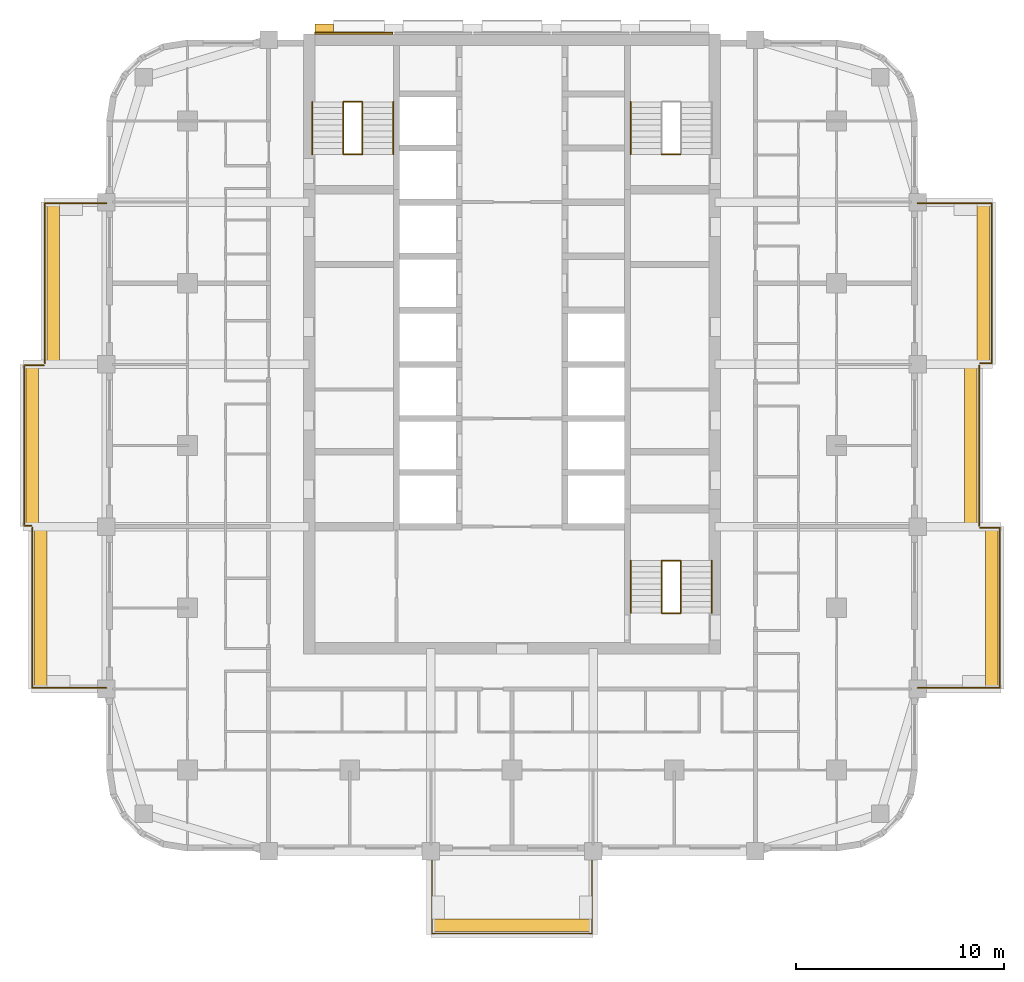
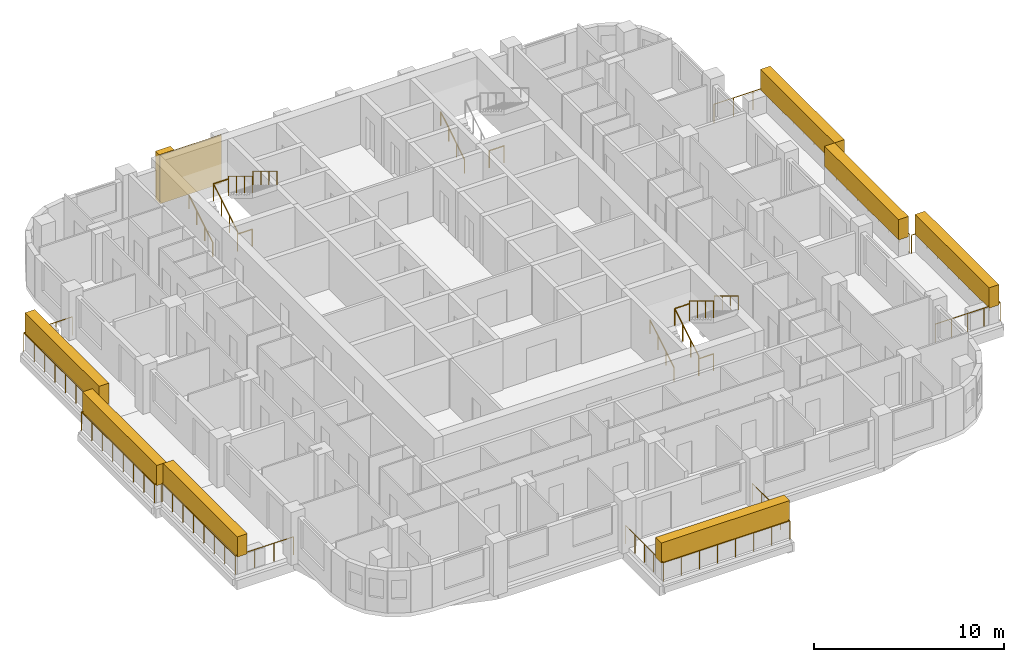
# One storey, part 13 of 14: 21 railings, 9 coverings, 3 elements without a shape of their own.
"""IFC4 building model written with IfcOpenShell, lengths in metres."""

from ifc_helpers import new_model, si_unit, direction, frame, origin, origin_2d, place, context, subcontext, project, spatial, rectangle, circle, extrude, material, layer, layer_set, type_object, element, aggregate, save


model = new_model("IFC4")

# Units and contexts
model_context = context("Model", 3, precision=1e-05, world=origin(), true_north=direction((0.0, 1.0)))
body_context = subcontext(model_context, "Body", "Model", "MODEL_VIEW")
ifc_project = project(units=[si_unit("LENGTHUNIT", "METRE"), si_unit("AREAUNIT", "SQUARE_METRE"), si_unit("VOLUMEUNIT", "CUBIC_METRE"), si_unit("PLANEANGLEUNIT", "RADIAN"), si_unit("MASSUNIT", "GRAM", prefix="KILO")], contexts=[model_context])

# Site, building, storey
site_placement = place(None, origin())
site = spatial("IfcSite", under=ifc_project, at=site_placement, CompositionType="ELEMENT")
building_placement = place(site_placement, origin())
building = spatial("IfcBuilding", under=site, at=building_placement, Name="Ludao Terraces", CompositionType="ELEMENT")
storey_placement = place(building_placement, frame((0.0, 0.0, 110.10009765625)))
storey = spatial("IfcBuildingStorey", under=building, at=storey_placement, Name="L30", CompositionType="ELEMENT", Elevation=110.10009765625)

# Railings
ifc_material_1 = material(Name="Stainless steel 304", Category="steel")
railing_type_1 = type_object("IfcRailingType", Name="ENV Balcony glass guard 1200", PredefinedType="GUARDRAIL", material=ifc_material_1)
railing_1_placement = place(storey_placement, frame((81.14990234375, 45.5, 0.0)))
element("IfcRailing", 1, at=railing_1_placement, inside=storey, type_object=railing_type_1, Name="Balcony guard L30 S1", PredefinedType="GUARDRAIL", context=body_context, shape_type="SweptSolid", body=[
    extrude(circle(Radius=0.02392578125, at=origin_2d()), frame((0.0, 0.0, 1.17578125), z_axis=(0.0, -1.0, 0.0), x_axis=(1.0, 0.0, 0.0)), (0.0, 0.0, 1.0), 3.949951171875),
    extrude(circle(Radius=0.02392578125, at=origin_2d()), frame((0.0, -3.949951171875, 1.17578125), z_axis=(1.0, 0.0, 0.0), x_axis=(0.0, 1.0, 0.0)), (0.0, 0.0, 1.0), 7.7001953125),
    extrude(circle(Radius=0.02392578125, at=origin_2d()), frame((7.7001953125, -3.949951171875, 1.17578125), z_axis=(0.0, 1.0, 0.0), x_axis=(-1.0, 0.0, 0.0)), (0.0, 0.0, 1.0), 3.949951171875),
    extrude(circle(Radius=0.02099609375, at=origin_2d()), origin(), (0.0, 0.0, 1.0), 1.15185546875),
    extrude(circle(Radius=0.02099609375, at=origin_2d()), frame((0.0, -0.987548828125, 0.0)), (0.0, 0.0, 1.0), 1.15185546875),
    extrude(circle(Radius=0.02099609375, at=origin_2d()), frame((0.0, -1.97509765625, 0.0)), (0.0, 0.0, 1.0), 1.15185546875),
    extrude(circle(Radius=0.02099609375, at=origin_2d()), frame((0.0, -2.96240234375, 0.0)), (0.0, 0.0, 1.0), 1.15185546875),
    extrude(circle(Radius=0.02099609375, at=origin_2d()), frame((0.0, -3.949951171875, 0.0)), (0.0, 0.0, 1.0), 1.15185546875),
    extrude(circle(Radius=0.02099609375, at=origin_2d()), frame((1.10009765625, -3.949951171875, 0.0)), (0.0, 0.0, 1.0), 1.15185546875),
    extrude(circle(Radius=0.02099609375, at=origin_2d()), frame((2.199951171875, -3.949951171875, 0.0)), (0.0, 0.0, 1.0), 1.15185546875),
    extrude(circle(Radius=0.02099609375, at=origin_2d()), frame((3.300048828125, -3.949951171875, 0.0)), (0.0, 0.0, 1.0), 1.15185546875),
    extrude(circle(Radius=0.02099609375, at=origin_2d()), frame((4.400146484375, -3.949951171875, 0.0)), (0.0, 0.0, 1.0), 1.15185546875),
    extrude(circle(Radius=0.02099609375, at=origin_2d()), frame((5.500244140625, -3.949951171875, 0.0)), (0.0, 0.0, 1.0), 1.15185546875),
    extrude(circle(Radius=0.02099609375, at=origin_2d()), frame((6.60009765625, -3.949951171875, 0.0)), (0.0, 0.0, 1.0), 1.15185546875),
    extrude(circle(Radius=0.02099609375, at=origin_2d()), frame((7.7001953125, -3.949951171875, 0.0)), (0.0, 0.0, 1.0), 1.15185546875),
    extrude(circle(Radius=0.02099609375, at=origin_2d()), frame((7.7001953125, -2.96240234375, 0.0)), (0.0, 0.0, 1.0), 1.15185546875),
    extrude(circle(Radius=0.02099609375, at=origin_2d()), frame((7.7001953125, -1.97509765625, 0.0)), (0.0, 0.0, 1.0), 1.15185546875),
    extrude(circle(Radius=0.02099609375, at=origin_2d()), frame((7.7001953125, -0.987548828125, 0.0)), (0.0, 0.0, 1.0), 1.15185546875),
    extrude(circle(Radius=0.02099609375, at=origin_2d()), frame((7.7001953125, 0.0, 0.0)), (0.0, 0.0, 1.0), 1.15185546875),
])
railing_2_placement = place(storey_placement, frame((104.5, 53.35009765625, 0.0)))
element("IfcRailing", 2, at=railing_2_placement, inside=storey, type_object=railing_type_1, Name="Balcony guard L30 E1", PredefinedType="GUARDRAIL", context=body_context, shape_type="SweptSolid", body=[
    extrude(circle(Radius=0.02392578125, at=origin_2d()), frame((0.0, 0.0, 1.17578125), z_axis=(1.0, 0.0, 0.0), x_axis=(0.0, 1.0, 0.0)), (0.0, 0.0, 1.0), 3.949951171875),
    extrude(circle(Radius=0.02392578125, at=origin_2d()), frame((3.949951171875, 0.0, 1.17578125), z_axis=(0.0, 1.0, 0.0), x_axis=(-1.0, 0.0, 0.0)), (0.0, 0.0, 1.0), 7.699951171875),
    extrude(circle(Radius=0.02392578125, at=origin_2d()), frame((3.949951171875, 7.699951171875, 1.17578125), z_axis=(-1.0, 0.0, 0.0), x_axis=(0.0, -1.0, 0.0)), (0.0, 0.0, 1.0), 0.949951171875),
    extrude(circle(Radius=0.02099609375, at=origin_2d()), origin(), (0.0, 0.0, 1.0), 1.15185546875),
    extrude(circle(Radius=0.02099609375, at=origin_2d()), frame((0.987548828125, 0.0, 0.0)), (0.0, 0.0, 1.0), 1.15185546875),
    extrude(circle(Radius=0.02099609375, at=origin_2d()), frame((1.97509765625, 0.0, 0.0)), (0.0, 0.0, 1.0), 1.15185546875),
    extrude(circle(Radius=0.02099609375, at=origin_2d()), frame((2.96240234375, 0.0, 0.0)), (0.0, 0.0, 1.0), 1.15185546875),
    extrude(circle(Radius=0.02099609375, at=origin_2d()), frame((3.949951171875, 0.0, 0.0)), (0.0, 0.0, 1.0), 1.15185546875),
    extrude(circle(Radius=0.02099609375, at=origin_2d()), frame((3.949951171875, 1.10009765625, 0.0)), (0.0, 0.0, 1.0), 1.15185546875),
    extrude(circle(Radius=0.02099609375, at=origin_2d()), frame((3.949951171875, 2.199951171875, 0.0)), (0.0, 0.0, 1.0), 1.15185546875),
    extrude(circle(Radius=0.02099609375, at=origin_2d()), frame((3.949951171875, 3.300048828125, 0.0)), (0.0, 0.0, 1.0), 1.15185546875),
    extrude(circle(Radius=0.02099609375, at=origin_2d()), frame((3.949951171875, 4.39990234375, 0.0)), (0.0, 0.0, 1.0), 1.15185546875),
    extrude(circle(Radius=0.02099609375, at=origin_2d()), frame((3.949951171875, 5.5, 0.0)), (0.0, 0.0, 1.0), 1.15185546875),
    extrude(circle(Radius=0.02099609375, at=origin_2d()), frame((3.949951171875, 6.599853515625, 0.0)), (0.0, 0.0, 1.0), 1.15185546875),
    extrude(circle(Radius=0.02099609375, at=origin_2d()), frame((3.949951171875, 7.699951171875, 0.0)), (0.0, 0.0, 1.0), 1.15185546875),
    extrude(circle(Radius=0.02099609375, at=origin_2d()), frame((3.0, 7.699951171875, 0.0)), (0.0, 0.0, 1.0), 1.15185546875),
])
railing_3_placement = place(storey_placement, frame((107.449951171875, 61.14990234375, 0.0)))
element("IfcRailing", 3, at=railing_3_placement, inside=storey, type_object=railing_type_1, Name="Balcony guard L30 E2", PredefinedType="GUARDRAIL", context=body_context, shape_type="SweptSolid", body=[
    extrude(circle(Radius=0.02392578125, at=origin_2d()), frame((0.0, 0.0, 1.17578125), z_axis=(0.0, 1.0, 0.0), x_axis=(-1.0, 0.0, 0.0)), (0.0, 0.0, 1.0), 7.7001953125),
    extrude(circle(Radius=0.02099609375, at=origin_2d()), origin(), (0.0, 0.0, 1.0), 1.15185546875),
    extrude(circle(Radius=0.02099609375, at=origin_2d()), frame((0.0, 1.10009765625, 0.0)), (0.0, 0.0, 1.0), 1.15185546875),
    extrude(circle(Radius=0.02099609375, at=origin_2d()), frame((0.0, 2.199951171875, 0.0)), (0.0, 0.0, 1.0), 1.15185546875),
    extrude(circle(Radius=0.02099609375, at=origin_2d()), frame((0.0, 3.300048828125, 0.0)), (0.0, 0.0, 1.0), 1.15185546875),
    extrude(circle(Radius=0.02099609375, at=origin_2d()), frame((0.0, 4.400146484375, 0.0)), (0.0, 0.0, 1.0), 1.15185546875),
    extrude(circle(Radius=0.02099609375, at=origin_2d()), frame((0.0, 5.500244140625, 0.0)), (0.0, 0.0, 1.0), 1.15185546875),
    extrude(circle(Radius=0.02099609375, at=origin_2d()), frame((0.0, 6.60009765625, 0.0)), (0.0, 0.0, 1.0), 1.15185546875),
    extrude(circle(Radius=0.02099609375, at=origin_2d()), frame((0.0, 7.7001953125, 0.0)), (0.0, 0.0, 1.0), 1.15185546875),
])
railing_4_placement = place(storey_placement, frame((107.5, 68.949951171875, 0.0)))
element("IfcRailing", 4, at=railing_4_placement, inside=storey, type_object=railing_type_1, Name="Balcony guard L30 E3", PredefinedType="GUARDRAIL", context=body_context, shape_type="SweptSolid", body=[
    extrude(circle(Radius=0.02392578125, at=origin_2d()), frame((0.0, 0.0, 1.17578125), z_axis=(1.0, 0.0, 0.0), x_axis=(0.0, 1.0, 0.0)), (0.0, 0.0, 1.0), 0.550048828125),
    extrude(circle(Radius=0.02392578125, at=origin_2d()), frame((0.550048828125, 0.0, 1.17578125), z_axis=(0.0, 1.0, 0.0), x_axis=(-1.0, 0.0, 0.0)), (0.0, 0.0, 1.0), 7.699951171875),
    extrude(circle(Radius=0.02392578125, at=origin_2d()), frame((0.550048828125, 7.699951171875, 1.17578125), z_axis=(-1.0, 0.0, 0.0), x_axis=(0.0, -1.0, 0.0)), (0.0, 0.0, 1.0), 3.550048828125),
    extrude(circle(Radius=0.02099609375, at=origin_2d()), origin(), (0.0, 0.0, 1.0), 1.15185546875),
    extrude(circle(Radius=0.02099609375, at=origin_2d()), frame((0.550048828125, 0.0, 0.0)), (0.0, 0.0, 1.0), 1.15185546875),
    extrude(circle(Radius=0.02099609375, at=origin_2d()), frame((0.550048828125, 1.10009765625, 0.0)), (0.0, 0.0, 1.0), 1.15185546875),
    extrude(circle(Radius=0.02099609375, at=origin_2d()), frame((0.550048828125, 2.199951171875, 0.0)), (0.0, 0.0, 1.0), 1.15185546875),
    extrude(circle(Radius=0.02099609375, at=origin_2d()), frame((0.550048828125, 3.300048828125, 0.0)), (0.0, 0.0, 1.0), 1.15185546875),
    extrude(circle(Radius=0.02099609375, at=origin_2d()), frame((0.550048828125, 4.39990234375, 0.0)), (0.0, 0.0, 1.0), 1.15185546875),
    extrude(circle(Radius=0.02099609375, at=origin_2d()), frame((0.550048828125, 5.5, 0.0)), (0.0, 0.0, 1.0), 1.15185546875),
    extrude(circle(Radius=0.02099609375, at=origin_2d()), frame((0.550048828125, 6.599853515625, 0.0)), (0.0, 0.0, 1.0), 1.15185546875),
    extrude(circle(Radius=0.02099609375, at=origin_2d()), frame((0.550048828125, 7.699951171875, 0.0)), (0.0, 0.0, 1.0), 1.15185546875),
    extrude(circle(Radius=0.02099609375, at=origin_2d()), frame((-0.63330078125, 7.699951171875, 0.0)), (0.0, 0.0, 1.0), 1.15185546875),
    extrude(circle(Radius=0.02099609375, at=origin_2d()), frame((-1.816650390625, 7.699951171875, 0.0)), (0.0, 0.0, 1.0), 1.15185546875),
    extrude(circle(Radius=0.02099609375, at=origin_2d()), frame((-3.0, 7.699951171875, 0.0)), (0.0, 0.0, 1.0), 1.15185546875),
])
railing_5_placement = place(storey_placement, frame((65.5, 53.35009765625, 0.0)))
element("IfcRailing", 5, at=railing_5_placement, inside=storey, type_object=railing_type_1, Name="Balcony guard L30 W1", PredefinedType="GUARDRAIL", context=body_context, shape_type="SweptSolid", body=[
    extrude(circle(Radius=0.02392578125, at=origin_2d()), frame((0.0, 0.0, 1.17578125), z_axis=(-1.0, 0.0, 0.0), x_axis=(0.0, -1.0, 0.0)), (0.0, 0.0, 1.0), 3.550048828125),
    extrude(circle(Radius=0.02392578125, at=origin_2d()), frame((-3.550048828125, 0.0, 1.17578125), z_axis=(0.0, 1.0, 0.0), x_axis=(-1.0, 0.0, 0.0)), (0.0, 0.0, 1.0), 7.699951171875),
    extrude(circle(Radius=0.02099609375, at=origin_2d()), origin(), (0.0, 0.0, 1.0), 1.15185546875),
    extrude(circle(Radius=0.02099609375, at=origin_2d()), frame((-1.183349609375, 0.0, 0.0)), (0.0, 0.0, 1.0), 1.15185546875),
    extrude(circle(Radius=0.02099609375, at=origin_2d()), frame((-2.36669921875, 0.0, 0.0)), (0.0, 0.0, 1.0), 1.15185546875),
    extrude(circle(Radius=0.02099609375, at=origin_2d()), frame((-3.550048828125, 0.0, 0.0)), (0.0, 0.0, 1.0), 1.15185546875),
    extrude(circle(Radius=0.02099609375, at=origin_2d()), frame((-3.550048828125, 1.10009765625, 0.0)), (0.0, 0.0, 1.0), 1.15185546875),
    extrude(circle(Radius=0.02099609375, at=origin_2d()), frame((-3.550048828125, 2.199951171875, 0.0)), (0.0, 0.0, 1.0), 1.15185546875),
    extrude(circle(Radius=0.02099609375, at=origin_2d()), frame((-3.550048828125, 3.300048828125, 0.0)), (0.0, 0.0, 1.0), 1.15185546875),
    extrude(circle(Radius=0.02099609375, at=origin_2d()), frame((-3.550048828125, 4.39990234375, 0.0)), (0.0, 0.0, 1.0), 1.15185546875),
    extrude(circle(Radius=0.02099609375, at=origin_2d()), frame((-3.550048828125, 5.5, 0.0)), (0.0, 0.0, 1.0), 1.15185546875),
    extrude(circle(Radius=0.02099609375, at=origin_2d()), frame((-3.550048828125, 6.599853515625, 0.0)), (0.0, 0.0, 1.0), 1.15185546875),
    extrude(circle(Radius=0.02099609375, at=origin_2d()), frame((-3.550048828125, 7.699951171875, 0.0)), (0.0, 0.0, 1.0), 1.15185546875),
])
railing_6_placement = place(storey_placement, frame((61.89990234375, 61.14990234375, 0.0)))
element("IfcRailing", 6, at=railing_6_placement, inside=storey, type_object=railing_type_1, Name="Balcony guard L30 W2", PredefinedType="GUARDRAIL", context=body_context, shape_type="SweptSolid", body=[
    extrude(circle(Radius=0.02392578125, at=origin_2d()), frame((0.0, 0.0, 1.17578125), z_axis=(-1.0, 0.0, 0.0), x_axis=(0.0, -1.0, 0.0)), (0.0, 0.0, 1.0), 0.349853515625),
    extrude(circle(Radius=0.02392578125, at=origin_2d()), frame((-0.349853515625, 0.0, 1.17578125), z_axis=(0.0, 1.0, 0.0), x_axis=(-1.0, 0.0, 0.0)), (0.0, 0.0, 1.0), 7.7001953125),
    extrude(circle(Radius=0.02392578125, at=origin_2d()), frame((-0.349853515625, 7.7001953125, 1.17578125), z_axis=(1.0, 0.0, 0.0), x_axis=(0.0, 1.0, 0.0)), (0.0, 0.0, 1.0), 0.949951171875),
    extrude(circle(Radius=0.02099609375, at=origin_2d()), origin(), (0.0, 0.0, 1.0), 1.15185546875),
    extrude(circle(Radius=0.02099609375, at=origin_2d()), frame((-0.349853515625, 0.0, 0.0)), (0.0, 0.0, 1.0), 1.15185546875),
    extrude(circle(Radius=0.02099609375, at=origin_2d()), frame((-0.349853515625, 1.10009765625, 0.0)), (0.0, 0.0, 1.0), 1.15185546875),
    extrude(circle(Radius=0.02099609375, at=origin_2d()), frame((-0.349853515625, 2.199951171875, 0.0)), (0.0, 0.0, 1.0), 1.15185546875),
    extrude(circle(Radius=0.02099609375, at=origin_2d()), frame((-0.349853515625, 3.300048828125, 0.0)), (0.0, 0.0, 1.0), 1.15185546875),
    extrude(circle(Radius=0.02099609375, at=origin_2d()), frame((-0.349853515625, 4.400146484375, 0.0)), (0.0, 0.0, 1.0), 1.15185546875),
    extrude(circle(Radius=0.02099609375, at=origin_2d()), frame((-0.349853515625, 5.500244140625, 0.0)), (0.0, 0.0, 1.0), 1.15185546875),
    extrude(circle(Radius=0.02099609375, at=origin_2d()), frame((-0.349853515625, 6.60009765625, 0.0)), (0.0, 0.0, 1.0), 1.15185546875),
    extrude(circle(Radius=0.02099609375, at=origin_2d()), frame((-0.349853515625, 7.7001953125, 0.0)), (0.0, 0.0, 1.0), 1.15185546875),
    extrude(circle(Radius=0.02099609375, at=origin_2d()), frame((0.60009765625, 7.7001953125, 0.0)), (0.0, 0.0, 1.0), 1.15185546875),
])
railing_7_placement = place(storey_placement, frame((62.550048828125, 68.949951171875, 0.0)))
element("IfcRailing", 7, at=railing_7_placement, inside=storey, type_object=railing_type_1, Name="Balcony guard L30 W3", PredefinedType="GUARDRAIL", context=body_context, shape_type="SweptSolid", body=[
    extrude(circle(Radius=0.02392578125, at=origin_2d()), frame((0.0, 0.0, 1.17578125), z_axis=(0.0, 1.0, 0.0), x_axis=(-1.0, 0.0, 0.0)), (0.0, 0.0, 1.0), 7.699951171875),
    extrude(circle(Radius=0.02392578125, at=origin_2d()), frame((0.0, 7.699951171875, 1.17578125), z_axis=(1.0, 0.0, 0.0), x_axis=(0.0, 1.0, 0.0)), (0.0, 0.0, 1.0), 2.949951171875),
    extrude(circle(Radius=0.02099609375, at=origin_2d()), origin(), (0.0, 0.0, 1.0), 1.15185546875),
    extrude(circle(Radius=0.02099609375, at=origin_2d()), frame((0.0, 1.10009765625, 0.0)), (0.0, 0.0, 1.0), 1.15185546875),
    extrude(circle(Radius=0.02099609375, at=origin_2d()), frame((0.0, 2.199951171875, 0.0)), (0.0, 0.0, 1.0), 1.15185546875),
    extrude(circle(Radius=0.02099609375, at=origin_2d()), frame((0.0, 3.300048828125, 0.0)), (0.0, 0.0, 1.0), 1.15185546875),
    extrude(circle(Radius=0.02099609375, at=origin_2d()), frame((0.0, 4.39990234375, 0.0)), (0.0, 0.0, 1.0), 1.15185546875),
    extrude(circle(Radius=0.02099609375, at=origin_2d()), frame((0.0, 5.5, 0.0)), (0.0, 0.0, 1.0), 1.15185546875),
    extrude(circle(Radius=0.02099609375, at=origin_2d()), frame((0.0, 6.599853515625, 0.0)), (0.0, 0.0, 1.0), 1.15185546875),
    extrude(circle(Radius=0.02099609375, at=origin_2d()), frame((0.0, 7.699951171875, 0.0)), (0.0, 0.0, 1.0), 1.15185546875),
    extrude(circle(Radius=0.02099609375, at=origin_2d()), frame((0.9833984375, 7.699951171875, 0.0)), (0.0, 0.0, 1.0), 1.15185546875),
    extrude(circle(Radius=0.02099609375, at=origin_2d()), frame((1.966552734375, 7.699951171875, 0.0)), (0.0, 0.0, 1.0), 1.15185546875),
    extrude(circle(Radius=0.02099609375, at=origin_2d()), frame((2.949951171875, 7.699951171875, 0.0)), (0.0, 0.0, 1.0), 1.15185546875),
])

# Coverings
ifc_material_2 = material(Name="Granite cladding", Category="masonry")
ifc_layer_1 = layer(ifc_material_2, 0.39990234375)
ifc_layer_set_1 = layer_set([ifc_layer_1], Name="ENV Core pilaster stone 400")
covering_type_1 = type_object("IfcCoveringType", Name="ENV Core pilaster stone 400", PredefinedType="CLADDING", material=ifc_layer_set_1)
covering_1_placement = place(storey_placement, frame((75.97509765625, 85.054931640625, -0.000244140625), z_axis=(0.0, 0.0, 1.0), x_axis=(1.0, 0.0, 0.0)))
element("IfcCovering", 8, at=covering_1_placement, inside=storey, type_object=covering_type_1, Name="CC-L30-PIL1", PredefinedType="CLADDING", context=body_context, shape_type="SweptSolid", body=[
    extrude(rectangle(XDim=0.89990234375, YDim=0.39990234375, at=origin_2d()), origin(), (0.0, 0.0, 1.0), 3.10009765625),
])
ifc_layer_2 = layer(ifc_material_2, 0.080078125)
ifc_layer_set_2 = layer_set([ifc_layer_2], Name="ENV Core stone cladding panel 80")
covering_type_2 = type_object("IfcCoveringType", Name="ENV Core stone cladding panel 80", PredefinedType="CLADDING", material=ifc_layer_set_2)
covering_2_placement = place(storey_placement, frame((77.39501953125, 84.81494140625, -0.000244140625), z_axis=(0.0, 0.0, 1.0), x_axis=(1.0, 0.0, 0.0)))
element("IfcCovering", 9, at=covering_2_placement, inside=storey, type_object=covering_type_2, Name="CC-L30-CORE1", PredefinedType="CLADDING", context=body_context, shape_type="SweptSolid", body=[
    extrude(rectangle(XDim=3.739990234375, YDim=0.080078125, at=origin_2d()), origin(), (0.0, 0.0, 1.0), 3.10009765625),
])
ifc_material_3 = material(Name="Planting")
ifc_layer_3 = layer(ifc_material_3, 0.60009765625)
ifc_layer_set_3 = layer_set([ifc_layer_3], Name="ENV Planting hedge 600x1300")
covering_type_3 = type_object("IfcCoveringType", Name="ENV Planting hedge 600x1300", PredefinedType="USERDEFINED", material=ifc_layer_set_3)
covering_3_placement = place(storey_placement, frame((85.0, 41.949951171875, 1.10009765625), z_axis=(0.0, 0.0, 1.0), x_axis=(1.0, 0.0, 0.0)))
element("IfcCovering", 10, at=covering_3_placement, inside=storey, type_object=covering_type_3, Name="Planting hedge L30-S1", ObjectType="PLANTING", PredefinedType="USERDEFINED", context=body_context, shape_type="SweptSolid", body=[
    extrude(rectangle(XDim=7.800048828125, YDim=0.60009765625, at=origin_2d()), origin(), (0.0, 0.0, 1.0), 1.300048828125),
])
for number, where, z_axis, x_axis, name in (
    (11, (108.050048828125, 57.199951171875, 1.10009765625), (0.0, 0.0, 1.0), (1.0, 0.0, 0.0), "Planting hedge L30-E1"),
    (12, (107.050048828125, 65.0, 1.10009765625), (0.0, 0.0, 1.0), (1.0, 0.0, 0.0), "Planting hedge L30-E2"),
    (13, (107.64990234375, 72.800048828125, 1.10009765625), (0.0, 0.0, 1.0), (1.0, 0.0, 0.0), "Planting hedge L30-E3"),
    (14, (62.35009765625, 57.199951171875, 1.10009765625), (0.0, 0.0, 1.0), (1.0, 0.0, 0.0), "Planting hedge L30-W1"),
    (15, (61.949951171875, 65.0, 1.10009765625), (0.0, 0.0, 1.0), (1.0, 0.0, 0.0), "Planting hedge L30-W2"),
    (16, (62.949951171875, 72.800048828125, 1.10009765625), (0.0, 0.0, 1.0), (1.0, 0.0, 0.0), "Planting hedge L30-W3"),
):
    element("IfcCovering", number, at=place(storey_placement, frame(where, z_axis=z_axis, x_axis=x_axis)), inside=storey, type_object=covering_type_3, Name=name, ObjectType="PLANTING", PredefinedType="USERDEFINED", context=body_context, shape_type="SweptSolid", body=[
        extrude(rectangle(XDim=0.60009765625, YDim=7.800048828125, at=origin_2d()), origin(), (0.0, 0.0, 1.0), 1.300048828125),
    ])

# Stair, railings
ifc_material_4 = material(Name="Concrete C40", Category="concrete")
stair_type = type_object("IfcStairType", Name="INT Stair", PredefinedType="HALF_TURN_STAIR", material=ifc_material_4)
stair_1_placement = place(storey_placement, origin())
stair_1 = element("IfcStair", 17, at=stair_1_placement, inside=storey, type_object=stair_type, Name="EXIT STAIR 1", PredefinedType="HALF_TURN_STAIR")
railing_type_2 = type_object("IfcRailingType", Name="INT Stair guard 1100", PredefinedType="GUARDRAIL", material=ifc_material_1)
railing_8_placement = place(storey_placement, frame((76.89990234375, 79.0, 0.169921875)))
railing_8 = element("IfcRailing", 18, at=railing_8_placement, type_object=railing_type_2, Name="ST-L30-S1-R1G", PredefinedType="GUARDRAIL", context=body_context, shape_type="SweptSolid", body=[
    extrude(circle(Radius=0.02392578125, at=origin_2d()), frame((0.0, 0.0, 1.076171875), z_axis=(0.0, 0.85478489116, 0.518982456201), x_axis=(-1.0, 0.0, 0.0)), (0.0, 0.0, 1.0), 2.9482421875),
    extrude(circle(Radius=0.02099609375, at=origin_2d()), origin(), (0.0, 0.0, 1.0), 1.052001953125),
    extrude(circle(Radius=0.02099609375, at=origin_2d()), frame((0.0, 0.840087890625, 0.510009765625)), (0.0, 0.0, 1.0), 1.052001953125),
    extrude(circle(Radius=0.02099609375, at=origin_2d()), frame((0.0, 1.679931640625, 1.02001953125)), (0.0, 0.0, 1.0), 1.052001953125),
    extrude(circle(Radius=0.02099609375, at=origin_2d()), frame((0.0, 2.52001953125, 1.530029296875)), (0.0, 0.0, 1.0), 1.052001953125),
])
railing_9_placement = place(storey_placement, frame((77.800048828125, 81.52001953125, 1.869873046875)))
railing_9 = element("IfcRailing", 19, at=railing_9_placement, type_object=railing_type_2, Name="ST-L30-S1-R2G", PredefinedType="GUARDRAIL", context=body_context, shape_type="SweptSolid", body=[
    extrude(circle(Radius=0.02392578125, at=origin_2d()), frame((0.0, 0.0, 1.076171875), z_axis=(0.0, -0.85478489116, 0.518982456201), x_axis=(1.0, 0.0, 0.0)), (0.0, 0.0, 1.0), 2.9482421875),
    extrude(circle(Radius=0.02099609375, at=origin_2d()), origin(), (0.0, 0.0, 1.0), 1.052001953125),
    extrude(circle(Radius=0.02099609375, at=origin_2d()), frame((0.0, -0.840087890625, 0.510009765625)), (0.0, 0.0, 1.0), 1.052001953125),
    extrude(circle(Radius=0.02099609375, at=origin_2d()), frame((0.0, -1.679931640625, 1.02001953125)), (0.0, 0.0, 1.0), 1.052001953125),
    extrude(circle(Radius=0.02099609375, at=origin_2d()), frame((0.0, -2.52001953125, 1.530029296875)), (0.0, 0.0, 1.0), 1.052001953125),
])
railing_10_placement = place(storey_placement, frame((76.89990234375, 81.52001953125, 1.699951171875)))
railing_10 = element("IfcRailing", 20, at=railing_10_placement, type_object=railing_type_2, Name="ST-L30-S1-E1G", PredefinedType="GUARDRAIL", context=body_context, shape_type="SweptSolid", body=[
    extrude(circle(Radius=0.02392578125, at=origin_2d()), frame((0.0, 0.0, 1.076171875), z_axis=(1.0, 0.0, 0.0), x_axis=(0.0, 1.0, 0.0)), (0.0, 0.0, 1.0), 0.900146484375),
    extrude(circle(Radius=0.02099609375, at=origin_2d()), origin(), (0.0, 0.0, 1.0), 1.052001953125),
    extrude(circle(Radius=0.02099609375, at=origin_2d()), frame((0.900146484375, 0.0, 0.0)), (0.0, 0.0, 1.0), 1.052001953125),
])
railing_11_placement = place(storey_placement, frame((76.89990234375, 79.0, 0.0)))
railing_11 = element("IfcRailing", 21, at=railing_11_placement, type_object=railing_type_2, Name="ST-L30-S1-E2G", PredefinedType="GUARDRAIL", context=body_context, shape_type="SweptSolid", body=[
    extrude(circle(Radius=0.02392578125, at=origin_2d()), frame((0.0, 0.0, 1.076171875), z_axis=(1.0, 0.0, 0.0), x_axis=(0.0, 1.0, 0.0)), (0.0, 0.0, 1.0), 0.900146484375),
    extrude(circle(Radius=0.02099609375, at=origin_2d()), origin(), (0.0, 0.0, 1.0), 1.052001953125),
    extrude(circle(Radius=0.02099609375, at=origin_2d()), frame((0.900146484375, 0.0, 0.0)), (0.0, 0.0, 1.0), 1.052001953125),
])

# Stair, railing
stair_2_placement = place(storey_placement, origin())
stair_2 = element("IfcStair", 22, at=stair_2_placement, inside=storey, type_object=stair_type, Name="EXIT STAIR 2", PredefinedType="HALF_TURN_STAIR")
railing_12_placement = place(storey_placement, frame((92.199951171875, 79.0, 0.0)))
railing_12 = element("IfcRailing", 23, at=railing_12_placement, type_object=railing_type_2, Name="ST-L30-S2-E2G", PredefinedType="GUARDRAIL", context=body_context, shape_type="SweptSolid", body=[
    extrude(circle(Radius=0.02392578125, at=origin_2d()), frame((0.0, 0.0, 1.076171875), z_axis=(1.0, 0.0, 0.0), x_axis=(0.0, 1.0, 0.0)), (0.0, 0.0, 1.0), 0.900146484375),
    extrude(circle(Radius=0.02099609375, at=origin_2d()), origin(), (0.0, 0.0, 1.0), 1.052001953125),
    extrude(circle(Radius=0.02099609375, at=origin_2d()), frame((0.900146484375, 0.0, 0.0)), (0.0, 0.0, 1.0), 1.052001953125),
])

# Stair, railings
stair_3_placement = place(storey_placement, origin())
stair_3 = element("IfcStair", 24, at=stair_3_placement, inside=storey, type_object=stair_type, Name="EXIT STAIR 3", PredefinedType="HALF_TURN_STAIR")
railing_13_placement = place(storey_placement, frame((92.199951171875, 56.949951171875, 0.169921875)))
railing_13 = element("IfcRailing", 25, at=railing_13_placement, type_object=railing_type_2, Name="ST-L30-S3-R1G", PredefinedType="GUARDRAIL", context=body_context, shape_type="SweptSolid", body=[
    extrude(circle(Radius=0.02392578125, at=origin_2d()), frame((0.0, 0.0, 1.076171875), z_axis=(0.0, 0.85478489116, 0.518982456201), x_axis=(-1.0, 0.0, 0.0)), (0.0, 0.0, 1.0), 2.9482421875),
    extrude(circle(Radius=0.02099609375, at=origin_2d()), origin(), (0.0, 0.0, 1.0), 1.052001953125),
    extrude(circle(Radius=0.02099609375, at=origin_2d()), frame((0.0, 0.840087890625, 0.510009765625)), (0.0, 0.0, 1.0), 1.052001953125),
    extrude(circle(Radius=0.02099609375, at=origin_2d()), frame((0.0, 1.679931640625, 1.02001953125)), (0.0, 0.0, 1.0), 1.052001953125),
    extrude(circle(Radius=0.02099609375, at=origin_2d()), frame((0.0, 2.52001953125, 1.530029296875)), (0.0, 0.0, 1.0), 1.052001953125),
])
railing_14_placement = place(storey_placement, frame((93.10009765625, 59.469970703125, 1.869873046875)))
railing_14 = element("IfcRailing", 26, at=railing_14_placement, type_object=railing_type_2, Name="ST-L30-S3-R2G", PredefinedType="GUARDRAIL", context=body_context, shape_type="SweptSolid", body=[
    extrude(circle(Radius=0.02392578125, at=origin_2d()), frame((0.0, 0.0, 1.076171875), z_axis=(0.0, -0.85478489116, 0.518982456201), x_axis=(1.0, 0.0, 0.0)), (0.0, 0.0, 1.0), 2.9482421875),
    extrude(circle(Radius=0.02099609375, at=origin_2d()), origin(), (0.0, 0.0, 1.0), 1.052001953125),
    extrude(circle(Radius=0.02099609375, at=origin_2d()), frame((0.0, -0.840087890625, 0.510009765625)), (0.0, 0.0, 1.0), 1.052001953125),
    extrude(circle(Radius=0.02099609375, at=origin_2d()), frame((0.0, -1.679931640625, 1.02001953125)), (0.0, 0.0, 1.0), 1.052001953125),
    extrude(circle(Radius=0.02099609375, at=origin_2d()), frame((0.0, -2.52001953125, 1.530029296875)), (0.0, 0.0, 1.0), 1.052001953125),
])
railing_15_placement = place(storey_placement, frame((92.199951171875, 59.469970703125, 1.699951171875)))
railing_15 = element("IfcRailing", 27, at=railing_15_placement, type_object=railing_type_2, Name="ST-L30-S3-E1G", PredefinedType="GUARDRAIL", context=body_context, shape_type="SweptSolid", body=[
    extrude(circle(Radius=0.02392578125, at=origin_2d()), frame((0.0, 0.0, 1.076171875), z_axis=(1.0, 0.0, 0.0), x_axis=(0.0, 1.0, 0.0)), (0.0, 0.0, 1.0), 0.900146484375),
    extrude(circle(Radius=0.02099609375, at=origin_2d()), origin(), (0.0, 0.0, 1.0), 1.052001953125),
    extrude(circle(Radius=0.02099609375, at=origin_2d()), frame((0.900146484375, 0.0, 0.0)), (0.0, 0.0, 1.0), 1.052001953125),
])
railing_16_placement = place(storey_placement, frame((92.199951171875, 56.949951171875, 0.0)))
railing_16 = element("IfcRailing", 28, at=railing_16_placement, type_object=railing_type_2, Name="ST-L30-S3-E2G", PredefinedType="GUARDRAIL", context=body_context, shape_type="SweptSolid", body=[
    extrude(circle(Radius=0.02392578125, at=origin_2d()), frame((0.0, 0.0, 1.076171875), z_axis=(1.0, 0.0, 0.0), x_axis=(0.0, 1.0, 0.0)), (0.0, 0.0, 1.0), 0.900146484375),
    extrude(circle(Radius=0.02099609375, at=origin_2d()), origin(), (0.0, 0.0, 1.0), 1.052001953125),
    extrude(circle(Radius=0.02099609375, at=origin_2d()), frame((0.900146484375, 0.0, 0.0)), (0.0, 0.0, 1.0), 1.052001953125),
])

# Railing
railing_type_3 = type_object("IfcRailingType", Name="INT Stair handrail 900", PredefinedType="HANDRAIL", material=ifc_material_1)
railing_17_placement = place(storey_placement, frame((75.39990234375, 79.0, 0.169921875)))
railing_17 = element("IfcRailing", 29, at=railing_17_placement, type_object=railing_type_3, Name="ST-L30-S1-R1H", PredefinedType="HANDRAIL", context=body_context, shape_type="SweptSolid", body=[
    extrude(circle(Radius=0.02392578125, at=origin_2d()), frame((0.0, 0.0, 0.8759765625), z_axis=(0.0, 0.85478489116, 0.518982456201), x_axis=(-1.0, 0.0, 0.0)), (0.0, 0.0, 1.0), 2.9482421875),
    extrude(circle(Radius=0.02099609375, at=origin_2d()), origin(), (0.0, 0.0, 1.0), 0.851806640625),
    extrude(circle(Radius=0.02099609375, at=origin_2d()), frame((0.0, 0.840087890625, 0.510009765625)), (0.0, 0.0, 1.0), 0.851806640625),
    extrude(circle(Radius=0.02099609375, at=origin_2d()), frame((0.0, 1.679931640625, 1.02001953125)), (0.0, 0.0, 1.0), 0.851806640625),
    extrude(circle(Radius=0.02099609375, at=origin_2d()), frame((0.0, 2.52001953125, 1.530029296875)), (0.0, 0.0, 1.0), 0.851806640625),
])

railing_18_placement = place(storey_placement, frame((79.300048828125, 81.52001953125, 1.869873046875)))
railing_18 = element("IfcRailing", 30, at=railing_18_placement, type_object=railing_type_3, Name="ST-L30-S1-R2H", PredefinedType="HANDRAIL", context=body_context, shape_type="SweptSolid", body=[
    extrude(circle(Radius=0.02392578125, at=origin_2d()), frame((0.0, 0.0, 0.8759765625), z_axis=(0.0, -0.85478489116, 0.518982456201), x_axis=(1.0, 0.0, 0.0)), (0.0, 0.0, 1.0), 2.9482421875),
    extrude(circle(Radius=0.02099609375, at=origin_2d()), origin(), (0.0, 0.0, 1.0), 0.851806640625),
    extrude(circle(Radius=0.02099609375, at=origin_2d()), frame((0.0, -0.840087890625, 0.510009765625)), (0.0, 0.0, 1.0), 0.851806640625),
    extrude(circle(Radius=0.02099609375, at=origin_2d()), frame((0.0, -1.679931640625, 1.02001953125)), (0.0, 0.0, 1.0), 0.851806640625),
    extrude(circle(Radius=0.02099609375, at=origin_2d()), frame((0.0, -2.52001953125, 1.530029296875)), (0.0, 0.0, 1.0), 0.851806640625),
])

aggregate(stair_1, [railing_8, railing_17, railing_9, railing_18, railing_10, railing_11])

railing_19_placement = place(storey_placement, frame((90.699951171875, 79.0, 0.169921875)))
railing_19 = element("IfcRailing", 31, at=railing_19_placement, type_object=railing_type_3, Name="ST-L30-S2-R1H", PredefinedType="HANDRAIL", context=body_context, shape_type="SweptSolid", body=[
    extrude(circle(Radius=0.02392578125, at=origin_2d()), frame((0.0, 0.0, 0.8759765625), z_axis=(0.0, 0.85478489116, 0.518982456201), x_axis=(-1.0, 0.0, 0.0)), (0.0, 0.0, 1.0), 2.9482421875),
    extrude(circle(Radius=0.02099609375, at=origin_2d()), origin(), (0.0, 0.0, 1.0), 0.851806640625),
    extrude(circle(Radius=0.02099609375, at=origin_2d()), frame((0.0, 0.840087890625, 0.510009765625)), (0.0, 0.0, 1.0), 0.851806640625),
    extrude(circle(Radius=0.02099609375, at=origin_2d()), frame((0.0, 1.679931640625, 1.02001953125)), (0.0, 0.0, 1.0), 0.851806640625),
    extrude(circle(Radius=0.02099609375, at=origin_2d()), frame((0.0, 2.52001953125, 1.530029296875)), (0.0, 0.0, 1.0), 0.851806640625),
])

aggregate(stair_2, [railing_19, railing_12])

railing_20_placement = place(storey_placement, frame((90.699951171875, 56.949951171875, 0.169921875)))
railing_20 = element("IfcRailing", 32, at=railing_20_placement, type_object=railing_type_3, Name="ST-L30-S3-R1H", PredefinedType="HANDRAIL", context=body_context, shape_type="SweptSolid", body=[
    extrude(circle(Radius=0.02392578125, at=origin_2d()), frame((0.0, 0.0, 0.8759765625), z_axis=(0.0, 0.85478489116, 0.518982456201), x_axis=(-1.0, 0.0, 0.0)), (0.0, 0.0, 1.0), 2.9482421875),
    extrude(circle(Radius=0.02099609375, at=origin_2d()), origin(), (0.0, 0.0, 1.0), 0.851806640625),
    extrude(circle(Radius=0.02099609375, at=origin_2d()), frame((0.0, 0.840087890625, 0.510009765625)), (0.0, 0.0, 1.0), 0.851806640625),
    extrude(circle(Radius=0.02099609375, at=origin_2d()), frame((0.0, 1.679931640625, 1.02001953125)), (0.0, 0.0, 1.0), 0.851806640625),
    extrude(circle(Radius=0.02099609375, at=origin_2d()), frame((0.0, 2.52001953125, 1.530029296875)), (0.0, 0.0, 1.0), 0.851806640625),
])

railing_21_placement = place(storey_placement, frame((94.60009765625, 59.469970703125, 1.869873046875)))
railing_21 = element("IfcRailing", 33, at=railing_21_placement, type_object=railing_type_3, Name="ST-L30-S3-R2H", PredefinedType="HANDRAIL", context=body_context, shape_type="SweptSolid", body=[
    extrude(circle(Radius=0.02392578125, at=origin_2d()), frame((0.0, 0.0, 0.8759765625), z_axis=(0.0, -0.85478489116, 0.518982456201), x_axis=(1.0, 0.0, 0.0)), (0.0, 0.0, 1.0), 2.9482421875),
    extrude(circle(Radius=0.02099609375, at=origin_2d()), origin(), (0.0, 0.0, 1.0), 0.851806640625),
    extrude(circle(Radius=0.02099609375, at=origin_2d()), frame((0.0, -0.840087890625, 0.510009765625)), (0.0, 0.0, 1.0), 0.851806640625),
    extrude(circle(Radius=0.02099609375, at=origin_2d()), frame((0.0, -1.679931640625, 1.02001953125)), (0.0, 0.0, 1.0), 0.851806640625),
    extrude(circle(Radius=0.02099609375, at=origin_2d()), frame((0.0, -2.52001953125, 1.530029296875)), (0.0, 0.0, 1.0), 0.851806640625),
])

aggregate(stair_3, [railing_13, railing_20, railing_14, railing_21, railing_15, railing_16])

save(model, "model.ifc")
